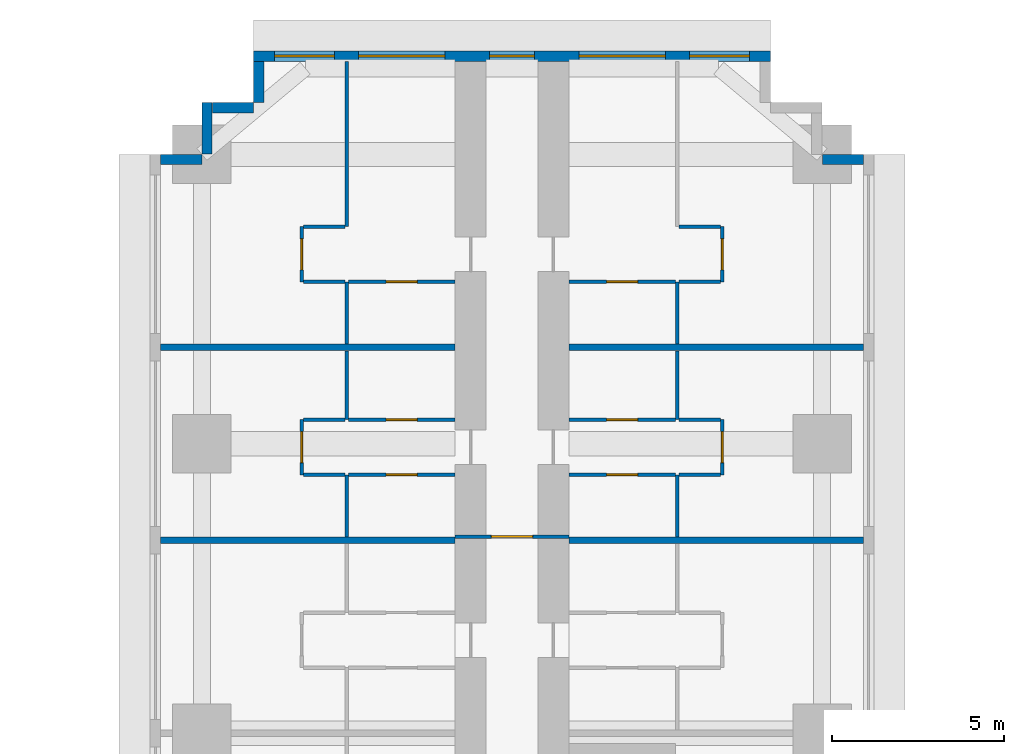
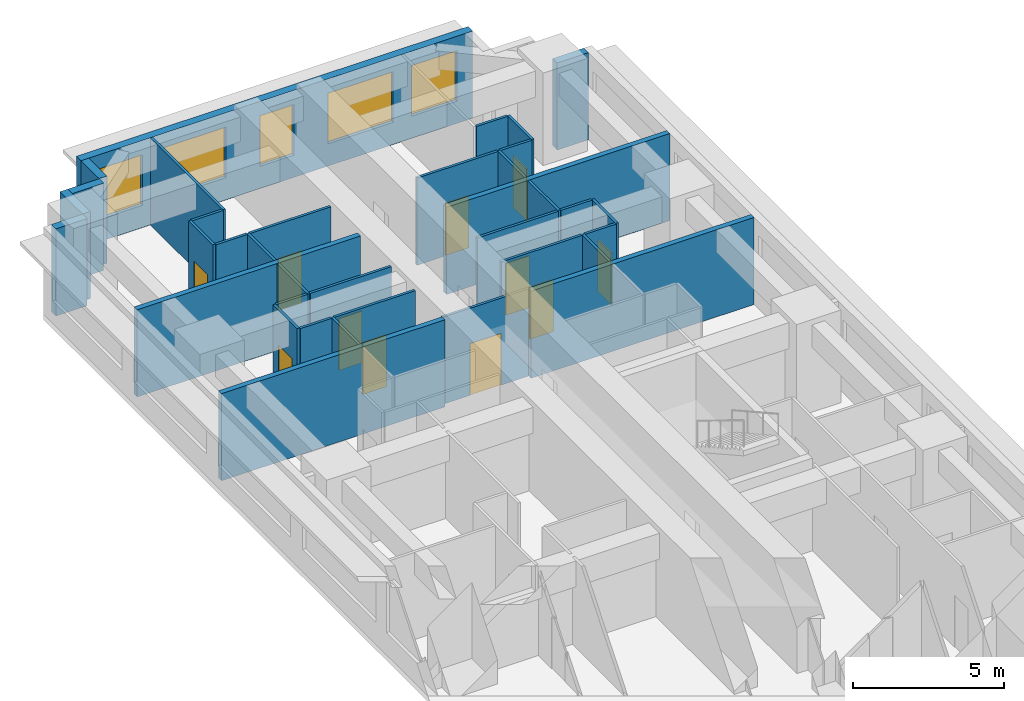
# One storey, part 14 of 16: 36 walls, 11 doors, 5 windows, 16 openings.
"""IFC4 building model written with IfcOpenShell, lengths in metres."""

from ifc_helpers import new_model, si_unit, direction, frame, frame_2d, origin, place, context, subcontext, project, spatial, rectangle, extrude, material, layer, layer_set, type_object, element, fill, save


model = new_model("IFC4")

# Units and contexts
model_context = context("Model", 3, precision=1e-05, world=origin(), true_north=direction((0.0, 1.0)))
body_context = subcontext(model_context, "Body", "Model", "MODEL_VIEW")
ifc_project = project(units=[si_unit("LENGTHUNIT", "METRE"), si_unit("AREAUNIT", "SQUARE_METRE"), si_unit("VOLUMEUNIT", "CUBIC_METRE"), si_unit("PLANEANGLEUNIT", "RADIAN"), si_unit("MASSUNIT", "GRAM", prefix="KILO")], contexts=[model_context])

# Site, building, storey
site_placement = place(None, origin())
site = spatial("IfcSite", under=ifc_project, at=site_placement, CompositionType="ELEMENT")
building_placement = place(site_placement, origin())
building = spatial("IfcBuilding", under=site, at=building_placement, Name="Impinga Residences", CompositionType="ELEMENT")
storey_placement = place(building_placement, frame((0.0, 0.0, 48.5)))
storey = spatial("IfcBuildingStorey", under=building, at=storey_placement, Name="L11", CompositionType="ELEMENT", Elevation=48.5)

# Wall, opening, door
ifc_material_1 = material(Name="Concrete blockwork", Category="masonry")
ifc_layer_1 = layer(ifc_material_1, 0.10009765625)
ifc_layer_set_1 = layer_set([ifc_layer_1], Name="CP1 core room partition, blockwork 100")
wall_type_1 = type_object("IfcWallType", Name="CP1 core room partition, blockwork 100", PredefinedType="PARTITIONING", material=ifc_layer_set_1)
wall_1_placement = place(storey_placement, frame((-1.64990234375, 33.93798828125, 0.0), z_axis=(0.0, 0.0, 1.0), x_axis=(1.0, 0.0, 0.0)))
wall_1 = element("IfcWall", 1, at=wall_1_placement, inside=storey, type_object=wall_type_1, Name="Core room partition, blockwork L11:N:SCR", PredefinedType="PARTITIONING", context=body_context, shape_type="SweptSolid", body=[
    extrude(rectangle(XDim=3.2998046875, YDim=0.10009765625, at=frame_2d((1.64990234375, 0.0))), origin(), (0.0, 0.0, 1.0), 3.530029296875),
])
opening_1_placement = place(wall_1_placement, frame((1.050048828125, 0.0, 0.0)))
opening_1 = element("IfcOpeningElement", 2, at=opening_1_placement, cuts=wall_1, Name="Opening D3", PredefinedType="OPENING", context=body_context, shape_type="SweptSolid", body=[
    extrude(rectangle(XDim=1.199951171875, YDim=2.10009765625, at=frame_2d((0.60009765625, 1.050048828125))), frame((0.0, 0.06005859375, 0.0), z_axis=(0.0, -1.0, 0.0), x_axis=(1.0, 0.0, 0.0)), (0.0, 0.0, 1.0), 0.1201171875),
])
ifc_material_2 = material(Name="Timber door set", Category="wood")
door_type_1 = type_object("IfcDoorType", Name="D3 room door, leaf and a half 1200x2100", OperationType="DOUBLE_SWING_LEFT", PredefinedType="DOOR", material=ifc_material_2)
door_1_placement = place(opening_1_placement, origin())
door_1 = element("IfcDoor", 3, at=door_1_placement, inside=storey, type_object=door_type_1, Name="Corridor smoke door N", OperationType="DOUBLE_SWING_LEFT", OverallHeight=2.10009765625, OverallWidth=1.199951171875, PredefinedType="DOOR", context=body_context, shape_type="SweptSolid", body=[
    extrude(rectangle(XDim=1.199951171875, YDim=2.10009765625, at=frame_2d((0.60009765625, 1.050048828125))), frame((0.0, 0.02490234375, 0.0), z_axis=(0.0, -1.0, 0.0), x_axis=(1.0, 0.0, 0.0)), (0.0, 0.0, 1.0), 0.050048828125),
])
fill(opening_1, door_1)

# Walls
ifc_material_3 = material(Name="Terracotta rainscreen on blockwork", Category="masonry")
ifc_layer_2 = layer(ifc_material_3, 0.300048828125)
ifc_layer_set_2 = layer_set([ifc_layer_2], Name="EW1 external wall, terracotta rainscreen on blockwork 300")
wall_type_2 = type_object("IfcWallType", Name="EW1 external wall, terracotta rainscreen on blockwork 300", PredefinedType="SOLIDWALL", material=ifc_layer_set_2)
wall_2_placement = place(storey_placement, frame((-10.199951171875, 44.881591796875, 0.0), z_axis=(0.0, 0.0, 1.0), x_axis=(1.0, 0.0, 0.0)))
element("IfcWall", 4, at=wall_2_placement, inside=storey, type_object=wall_type_2, Name="External wall EW1 L11", PredefinedType="SOLIDWALL", context=body_context, shape_type="SweptSolid", body=[
    extrude(rectangle(XDim=1.199951171875, YDim=0.300048828125, at=frame_2d((0.60009765625, 0.0))), origin(), (0.0, 0.0, 1.0), 3.530029296875),
])
wall_3_placement = place(storey_placement, frame((-8.85009765625, 45.03662109375, 0.0), z_axis=(0.0, 0.0, 1.0), x_axis=(0.0, 1.0, 0.0)))
element("IfcWall", 5, at=wall_3_placement, inside=storey, type_object=wall_type_2, Name="External wall EW1 L11", PredefinedType="SOLIDWALL", context=body_context, shape_type="SweptSolid", body=[
    extrude(rectangle(XDim=1.494873046875, YDim=0.300048828125, at=frame_2d((0.74755859375, 0.0))), origin(), (0.0, 0.0, 1.0), 3.530029296875),
])
wall_4_placement = place(storey_placement, frame((-8.699951171875, 46.381591796875, 0.0), z_axis=(0.0, 0.0, 1.0), x_axis=(1.0, 0.0, 0.0)))
element("IfcWall", 6, at=wall_4_placement, inside=storey, type_object=wall_type_2, Name="External wall EW1 L11", PredefinedType="SOLIDWALL", context=body_context, shape_type="SweptSolid", body=[
    extrude(rectangle(XDim=1.199951171875, YDim=0.300048828125, at=frame_2d((0.60009765625, 0.0))), origin(), (0.0, 0.0, 1.0), 3.530029296875),
])
wall_5_placement = place(storey_placement, frame((-7.35009765625, 46.53662109375, 0.0), z_axis=(0.0, 0.0, 1.0), x_axis=(0.0, 1.0, 0.0)))
element("IfcWall", 7, at=wall_5_placement, inside=storey, type_object=wall_type_2, Name="External wall EW1 L11", PredefinedType="SOLIDWALL", context=body_context, shape_type="SweptSolid", body=[
    extrude(rectangle(XDim=1.19482421875, YDim=0.300048828125, at=frame_2d((0.597412109375, 0.0))), origin(), (0.0, 0.0, 1.0), 3.530029296875),
])

# Wall, openings, windows
wall_6_placement = place(storey_placement, frame((-7.5, 47.881591796875, 0.0), z_axis=(0.0, 0.0, 1.0), x_axis=(1.0, 0.0, 0.0)))
wall_6 = element("IfcWall", 8, at=wall_6_placement, inside=storey, type_object=wall_type_2, Name="External wall EW1 L11", PredefinedType="SOLIDWALL", context=body_context, shape_type="SweptSolid", body=[
    extrude(rectangle(XDim=15.0, YDim=0.300048828125, at=frame_2d((7.5, 0.0))), origin(), (0.0, 0.0, 1.0), 3.530029296875),
])
opening_2_placement = place(wall_6_placement, frame((0.60009765625, 0.0, 0.89990234375)))
opening_2 = element("IfcOpeningElement", 9, at=opening_2_placement, cuts=wall_6, Name="Opening W1", PredefinedType="OPENING", context=body_context, shape_type="SweptSolid", body=[
    extrude(rectangle(XDim=1.75, YDim=2.050048828125, at=frame_2d((0.875, 1.02490234375))), frame((0.0, 0.159912109375, 0.0), z_axis=(0.0, -1.0, 0.0), x_axis=(1.0, 0.0, 0.0)), (0.0, 0.0, 1.0), 0.320068359375),
])
opening_3_placement = place(wall_6_placement, frame((3.050048828125, 0.0, 0.89990234375)))
opening_3 = element("IfcOpeningElement", 10, at=opening_3_placement, cuts=wall_6, Name="Opening W2", PredefinedType="OPENING", context=body_context, shape_type="SweptSolid", body=[
    extrude(rectangle(XDim=2.5, YDim=2.050048828125, at=frame_2d((1.25, 1.02490234375))), frame((0.0, 0.159912109375, 0.0), z_axis=(0.0, -1.0, 0.0), x_axis=(1.0, 0.0, 0.0)), (0.0, 0.0, 1.0), 0.320068359375),
])
opening_4_placement = place(wall_6_placement, frame((6.85009765625, 0.0, 0.89990234375)))
opening_4 = element("IfcOpeningElement", 11, at=opening_4_placement, cuts=wall_6, Name="Opening WE1", PredefinedType="OPENING", context=body_context, shape_type="SweptSolid", body=[
    extrude(rectangle(XDim=1.300048828125, YDim=2.050048828125, at=frame_2d((0.64990234375, 1.02490234375))), frame((0.0, 0.159912109375, 0.0), z_axis=(0.0, -1.0, 0.0), x_axis=(1.0, 0.0, 0.0)), (0.0, 0.0, 1.0), 0.320068359375),
])
opening_5_placement = place(wall_6_placement, frame((9.449951171875, 0.0, 0.89990234375)))
opening_5 = element("IfcOpeningElement", 12, at=opening_5_placement, cuts=wall_6, Name="Opening W2", PredefinedType="OPENING", context=body_context, shape_type="SweptSolid", body=[
    extrude(rectangle(XDim=2.5, YDim=2.050048828125, at=frame_2d((1.25, 1.02490234375))), frame((0.0, 0.159912109375, 0.0), z_axis=(0.0, -1.0, 0.0), x_axis=(1.0, 0.0, 0.0)), (0.0, 0.0, 1.0), 0.320068359375),
])
opening_6_placement = place(wall_6_placement, frame((12.64990234375, 0.0, 0.89990234375)))
opening_6 = element("IfcOpeningElement", 13, at=opening_6_placement, cuts=wall_6, Name="Opening W1", PredefinedType="OPENING", context=body_context, shape_type="SweptSolid", body=[
    extrude(rectangle(XDim=1.75, YDim=2.050048828125, at=frame_2d((0.875, 1.02490234375))), frame((0.0, 0.159912109375, 0.0), z_axis=(0.0, -1.0, 0.0), x_axis=(1.0, 0.0, 0.0)), (0.0, 0.0, 1.0), 0.320068359375),
])
ifc_material_4 = material(Name="Aluminium window, clear double glazing", Category="aluminium")
window_type_1 = type_object("IfcWindowType", Name="W1 ribbon window 1750x2050", PartitioningType="SINGLE_PANEL", PredefinedType="WINDOW", material=ifc_material_4)
window_1_placement = place(opening_2_placement, origin())
window_1 = element("IfcWindow", 14, at=window_1_placement, inside=storey, type_object=window_type_1, Name="Window L11", OverallHeight=2.050048828125, OverallWidth=1.75, PartitioningType="SINGLE_PANEL", PredefinedType="WINDOW", context=body_context, shape_type="SweptSolid", body=[
    extrude(rectangle(XDim=1.75, YDim=2.050048828125, at=frame_2d((0.875, 1.02490234375))), frame((0.0, 0.030029296875, 0.0), z_axis=(0.0, -1.0, 0.0), x_axis=(1.0, 0.0, 0.0)), (0.0, 0.0, 1.0), 0.06005859375),
])
fill(opening_2, window_1)
window_2_placement = place(opening_6_placement, origin())
window_2 = element("IfcWindow", 15, at=window_2_placement, inside=storey, type_object=window_type_1, Name="Window L11", OverallHeight=2.050048828125, OverallWidth=1.75, PartitioningType="SINGLE_PANEL", PredefinedType="WINDOW", context=body_context, shape_type="SweptSolid", body=[
    extrude(rectangle(XDim=1.75, YDim=2.050048828125, at=frame_2d((0.875, 1.02490234375))), frame((0.0, 0.030029296875, 0.0), z_axis=(0.0, -1.0, 0.0), x_axis=(1.0, 0.0, 0.0)), (0.0, 0.0, 1.0), 0.06005859375),
])
fill(opening_6, window_2)
window_type_2 = type_object("IfcWindowType", Name="W2 ribbon window 2500x2050", PartitioningType="SINGLE_PANEL", PredefinedType="WINDOW", material=ifc_material_4)
window_3_placement = place(opening_3_placement, origin())
window_3 = element("IfcWindow", 16, at=window_3_placement, inside=storey, type_object=window_type_2, Name="Window L11", OverallHeight=2.050048828125, OverallWidth=2.5, PartitioningType="SINGLE_PANEL", PredefinedType="WINDOW", context=body_context, shape_type="SweptSolid", body=[
    extrude(rectangle(XDim=2.5, YDim=2.050048828125, at=frame_2d((1.25, 1.02490234375))), frame((0.0, 0.030029296875, 0.0), z_axis=(0.0, -1.0, 0.0), x_axis=(1.0, 0.0, 0.0)), (0.0, 0.0, 1.0), 0.06005859375),
])
fill(opening_3, window_3)
window_4_placement = place(opening_5_placement, origin())
window_4 = element("IfcWindow", 17, at=window_4_placement, inside=storey, type_object=window_type_2, Name="Window L11", OverallHeight=2.050048828125, OverallWidth=2.5, PartitioningType="SINGLE_PANEL", PredefinedType="WINDOW", context=body_context, shape_type="SweptSolid", body=[
    extrude(rectangle(XDim=2.5, YDim=2.050048828125, at=frame_2d((1.25, 1.02490234375))), frame((0.0, 0.030029296875, 0.0), z_axis=(0.0, -1.0, 0.0), x_axis=(1.0, 0.0, 0.0)), (0.0, 0.0, 1.0), 0.06005859375),
])
fill(opening_5, window_4)
window_type_3 = type_object("IfcWindowType", Name="WE1 corridor window 1300x2050", PartitioningType="SINGLE_PANEL", PredefinedType="WINDOW", material=ifc_material_4)
window_5_placement = place(opening_4_placement, origin())
window_5 = element("IfcWindow", 18, at=window_5_placement, inside=storey, type_object=window_type_3, Name="Window L11", OverallHeight=2.050048828125, OverallWidth=1.300048828125, PartitioningType="SINGLE_PANEL", PredefinedType="WINDOW", context=body_context, shape_type="SweptSolid", body=[
    extrude(rectangle(XDim=1.300048828125, YDim=2.050048828125, at=frame_2d((0.64990234375, 1.02490234375))), frame((0.0, 0.030029296875, 0.0), z_axis=(0.0, -1.0, 0.0), x_axis=(1.0, 0.0, 0.0)), (0.0, 0.0, 1.0), 0.06005859375),
])
fill(opening_4, window_5)

# Walls
wall_7_placement = place(storey_placement, frame((9.0048828125, 44.881591796875, 0.0), z_axis=(0.0, 0.0, 1.0), x_axis=(1.0, 0.0, 0.0)))
element("IfcWall", 19, at=wall_7_placement, inside=storey, type_object=wall_type_2, Name="External wall EW1 L11", PredefinedType="SOLIDWALL", context=body_context, shape_type="SweptSolid", body=[
    extrude(rectangle(XDim=1.195068359375, YDim=0.300048828125, at=frame_2d((0.59765625, 0.0))), origin(), (0.0, 0.0, 1.0), 3.530029296875),
])
ifc_material_5 = material(Name="Gypsum board on steel studs", Category="steel")
ifc_layer_3 = layer(ifc_material_5, 0.10009765625)
ifc_layer_set_3 = layer_set([ifc_layer_3], Name="Gypsum board on steel studs")
wall_type_3 = type_object("IfcWallType", Name="IP1 partition 100", PredefinedType="PARTITIONING", material=ifc_layer_set_3)
wall_8_placement = place(storey_placement, frame((-4.800048828125, 33.931640625, 0.0), z_axis=(0.0, 0.0, 1.0), x_axis=(0.0, 1.0, 0.0)))
element("IfcWall", 20, at=wall_8_placement, inside=storey, type_object=wall_type_3, Name="Partition L11-NA4:DIV0", PredefinedType="PARTITIONING", context=body_context, shape_type="SweptSolid", body=[
    extrude(rectangle(XDim=1.7998046875, YDim=0.10009765625, at=frame_2d((0.89990234375, 0.0))), origin(), (0.0, 0.0, 1.0), 3.530029296875),
])
wall_9_placement = place(storey_placement, frame((-4.800048828125, 37.33154296875, 0.0), z_axis=(0.0, 0.0, 1.0), x_axis=(0.0, 1.0, 0.0)))
element("IfcWall", 21, at=wall_9_placement, inside=storey, type_object=wall_type_3, Name="Partition L11-NA4:DIV1", PredefinedType="PARTITIONING", context=body_context, shape_type="SweptSolid", body=[
    extrude(rectangle(XDim=2.0, YDim=0.10009765625, at=frame_2d((1.0, 0.0))), origin(), (0.0, 0.0, 1.0), 3.530029296875),
])

# Wall, opening, door
wall_10_placement = place(storey_placement, frame((-6.10009765625, 35.7314453125, 0.0), z_axis=(0.0, 0.0, 1.0), x_axis=(0.0, 1.0, 0.0)))
wall_10 = element("IfcWall", 22, at=wall_10_placement, inside=storey, type_object=wall_type_3, Name="Partition L11-NA4:STRIP", PredefinedType="PARTITIONING", context=body_context, shape_type="SweptSolid", body=[
    extrude(rectangle(XDim=1.60009765625, YDim=0.10009765625, at=frame_2d((0.800048828125, 0.0))), origin(), (0.0, 0.0, 1.0), 3.530029296875),
])
opening_7_placement = place(wall_10_placement, frame((0.35009765625, 0.0, 0.0)))
opening_7 = element("IfcOpeningElement", 23, at=opening_7_placement, cuts=wall_10, Name="Opening D2", PredefinedType="OPENING", context=body_context, shape_type="SweptSolid", body=[
    extrude(rectangle(XDim=0.89990234375, YDim=2.10009765625, at=frame_2d((0.449951171875, 1.050048828125))), frame((0.0, 0.06005859375, 0.0), z_axis=(0.0, -1.0, 0.0), x_axis=(1.0, 0.0, 0.0)), (0.0, 0.0, 1.0), 0.1201171875),
])
door_type_2 = type_object("IfcDoorType", Name="D2 internal door 900x2100", OperationType="SINGLE_SWING_LEFT", PredefinedType="DOOR", material=ifc_material_2)
door_2_placement = place(opening_7_placement, origin())
door_2 = element("IfcDoor", 24, at=door_2_placement, inside=storey, type_object=door_type_2, Name="Apartment L11-NA4 room door", OperationType="SINGLE_SWING_LEFT", OverallHeight=2.10009765625, OverallWidth=0.89990234375, PredefinedType="DOOR", context=body_context, shape_type="SweptSolid", body=[
    extrude(rectangle(XDim=0.89990234375, YDim=2.10009765625, at=frame_2d((0.449951171875, 1.050048828125))), frame((0.0, 0.02490234375, 0.0), z_axis=(0.0, -1.0, 0.0), x_axis=(1.0, 0.0, 0.0)), (0.0, 0.0, 1.0), 0.050048828125),
])
fill(opening_7, door_2)

# Walls
for number, where, z_axis, x_axis, name in (
    (25, (-4.85009765625, 35.7314453125, 0.0), (0.0, 0.0, 1.0), (-1.0, 0.0, 0.0), "Partition L11-NA4:SE0"),
    (26, (-4.85009765625, 37.33154296875, 0.0), (0.0, 0.0, 1.0), (-1.0, 0.0, 0.0), "Partition L11-NA4:SE1"),
):
    element("IfcWall", number, at=place(storey_placement, frame(where, z_axis=z_axis, x_axis=x_axis)), inside=storey, type_object=wall_type_3, Name=name, PredefinedType="PARTITIONING", context=body_context, shape_type="SweptSolid", body=[
        extrude(rectangle(XDim=1.199951171875, YDim=0.10009765625, at=frame_2d((0.60009765625, 0.0))), origin(), (0.0, 0.0, 1.0), 3.530029296875),
    ])

# Wall, opening, door
wall_11_placement = place(storey_placement, frame((-1.64990234375, 35.7314453125, 0.0), z_axis=(0.0, 0.0, 1.0), x_axis=(-1.0, 0.0, 0.0)))
wall_11 = element("IfcWall", 27, at=wall_11_placement, inside=storey, type_object=wall_type_3, Name="Partition L11-NA4:IB1", PredefinedType="PARTITIONING", context=body_context, shape_type="SweptSolid", body=[
    extrude(rectangle(XDim=3.10009765625, YDim=0.10009765625, at=frame_2d((1.550048828125, 0.0))), origin(), (0.0, 0.0, 1.0), 3.530029296875),
])
opening_8_placement = place(wall_11_placement, frame((1.10009765625, 0.0, 0.0)))
opening_8 = element("IfcOpeningElement", 28, at=opening_8_placement, cuts=wall_11, Name="Opening D2", PredefinedType="OPENING", context=body_context, shape_type="SweptSolid", body=[
    extrude(rectangle(XDim=0.89990234375, YDim=2.10009765625, at=frame_2d((0.449951171875, 1.050048828125))), frame((0.0, 0.06005859375, 0.0), z_axis=(0.0, -1.0, 0.0), x_axis=(1.0, 0.0, 0.0)), (0.0, 0.0, 1.0), 0.1201171875),
])
door_3_placement = place(opening_8_placement, origin())
door_3 = element("IfcDoor", 29, at=door_3_placement, inside=storey, type_object=door_type_2, Name="Apartment L11-NA4 bathroom door", OperationType="SINGLE_SWING_LEFT", OverallHeight=2.10009765625, OverallWidth=0.89990234375, PredefinedType="DOOR", context=body_context, shape_type="SweptSolid", body=[
    extrude(rectangle(XDim=0.89990234375, YDim=2.10009765625, at=frame_2d((0.449951171875, 1.050048828125))), frame((0.0, 0.02490234375, 0.0), z_axis=(0.0, -1.0, 0.0), x_axis=(1.0, 0.0, 0.0)), (0.0, 0.0, 1.0), 0.050048828125),
])
fill(opening_8, door_3)

wall_12_placement = place(storey_placement, frame((-1.64990234375, 37.33154296875, 0.0), z_axis=(0.0, 0.0, 1.0), x_axis=(-1.0, 0.0, 0.0)))
wall_12 = element("IfcWall", 30, at=wall_12_placement, inside=storey, type_object=wall_type_3, Name="Partition L11-NA4:IB2", PredefinedType="PARTITIONING", context=body_context, shape_type="SweptSolid", body=[
    extrude(rectangle(XDim=3.10009765625, YDim=0.10009765625, at=frame_2d((1.550048828125, 0.0))), origin(), (0.0, 0.0, 1.0), 3.530029296875),
])
opening_9_placement = place(wall_12_placement, frame((1.10009765625, 0.0, 0.0)))
opening_9 = element("IfcOpeningElement", 31, at=opening_9_placement, cuts=wall_12, Name="Opening D2", PredefinedType="OPENING", context=body_context, shape_type="SweptSolid", body=[
    extrude(rectangle(XDim=0.89990234375, YDim=2.10009765625, at=frame_2d((0.449951171875, 1.050048828125))), frame((0.0, 0.06005859375, 0.0), z_axis=(0.0, -1.0, 0.0), x_axis=(1.0, 0.0, 0.0)), (0.0, 0.0, 1.0), 0.1201171875),
])
door_4_placement = place(opening_9_placement, origin())
door_4 = element("IfcDoor", 32, at=door_4_placement, inside=storey, type_object=door_type_2, Name="Apartment L11-NA4 WC door", OperationType="SINGLE_SWING_LEFT", OverallHeight=2.10009765625, OverallWidth=0.89990234375, PredefinedType="DOOR", context=body_context, shape_type="SweptSolid", body=[
    extrude(rectangle(XDim=0.89990234375, YDim=2.10009765625, at=frame_2d((0.449951171875, 1.050048828125))), frame((0.0, 0.02490234375, 0.0), z_axis=(0.0, -1.0, 0.0), x_axis=(1.0, 0.0, 0.0)), (0.0, 0.0, 1.0), 0.050048828125),
])
fill(opening_9, door_4)

# Walls
wall_13_placement = place(storey_placement, frame((-4.800048828125, 39.531494140625, 0.0), z_axis=(0.0, 0.0, 1.0), x_axis=(0.0, 1.0, 0.0)))
element("IfcWall", 33, at=wall_13_placement, inside=storey, type_object=wall_type_3, Name="Partition L11-NA5:DIV0", PredefinedType="PARTITIONING", context=body_context, shape_type="SweptSolid", body=[
    extrude(rectangle(XDim=1.800048828125, YDim=0.10009765625, at=frame_2d((0.89990234375, 0.0))), origin(), (0.0, 0.0, 1.0), 3.530029296875),
])
wall_14_placement = place(storey_placement, frame((-4.800048828125, 42.931640625, 0.0), z_axis=(0.0, 0.0, 1.0), x_axis=(0.0, 1.0, 0.0)))
element("IfcWall", 34, at=wall_14_placement, inside=storey, type_object=wall_type_3, Name="Partition L11-NA5:DIV1", PredefinedType="PARTITIONING", context=body_context, shape_type="SweptSolid", body=[
    extrude(rectangle(XDim=4.7998046875, YDim=0.10009765625, at=frame_2d((2.39990234375, 0.0))), origin(), (0.0, 0.0, 1.0), 3.530029296875),
])

# Wall, opening, door
wall_15_placement = place(storey_placement, frame((-6.10009765625, 41.33154296875, 0.0), z_axis=(0.0, 0.0, 1.0), x_axis=(0.0, 1.0, 0.0)))
wall_15 = element("IfcWall", 35, at=wall_15_placement, inside=storey, type_object=wall_type_3, Name="Partition L11-NA5:STRIP", PredefinedType="PARTITIONING", context=body_context, shape_type="SweptSolid", body=[
    extrude(rectangle(XDim=1.60009765625, YDim=0.10009765625, at=frame_2d((0.800048828125, 0.0))), origin(), (0.0, 0.0, 1.0), 3.530029296875),
])
opening_10_placement = place(wall_15_placement, frame((0.35009765625, 0.0, 0.0)))
opening_10 = element("IfcOpeningElement", 36, at=opening_10_placement, cuts=wall_15, Name="Opening D2", PredefinedType="OPENING", context=body_context, shape_type="SweptSolid", body=[
    extrude(rectangle(XDim=0.89990234375, YDim=2.10009765625, at=frame_2d((0.449951171875, 1.050048828125))), frame((0.0, 0.06005859375, 0.0), z_axis=(0.0, -1.0, 0.0), x_axis=(1.0, 0.0, 0.0)), (0.0, 0.0, 1.0), 0.1201171875),
])
door_5_placement = place(opening_10_placement, origin())
door_5 = element("IfcDoor", 37, at=door_5_placement, inside=storey, type_object=door_type_2, Name="Apartment L11-NA5 room door", OperationType="SINGLE_SWING_LEFT", OverallHeight=2.10009765625, OverallWidth=0.89990234375, PredefinedType="DOOR", context=body_context, shape_type="SweptSolid", body=[
    extrude(rectangle(XDim=0.89990234375, YDim=2.10009765625, at=frame_2d((0.449951171875, 1.050048828125))), frame((0.0, 0.02490234375, 0.0), z_axis=(0.0, -1.0, 0.0), x_axis=(1.0, 0.0, 0.0)), (0.0, 0.0, 1.0), 0.050048828125),
])
fill(opening_10, door_5)

# Walls
for number, where, z_axis, x_axis, name in (
    (38, (-4.85009765625, 41.33154296875, 0.0), (0.0, 0.0, 1.0), (-1.0, 0.0, 0.0), "Partition L11-NA5:SE0"),
    (39, (-4.85009765625, 42.931640625, 0.0), (0.0, 0.0, 1.0), (-1.0, 0.0, 0.0), "Partition L11-NA5:SE1"),
):
    element("IfcWall", number, at=place(storey_placement, frame(where, z_axis=z_axis, x_axis=x_axis)), inside=storey, type_object=wall_type_3, Name=name, PredefinedType="PARTITIONING", context=body_context, shape_type="SweptSolid", body=[
        extrude(rectangle(XDim=1.199951171875, YDim=0.10009765625, at=frame_2d((0.60009765625, 0.0))), origin(), (0.0, 0.0, 1.0), 3.530029296875),
    ])

# Wall, opening, door
wall_16_placement = place(storey_placement, frame((-1.64990234375, 41.33154296875, 0.0), z_axis=(0.0, 0.0, 1.0), x_axis=(-1.0, 0.0, 0.0)))
wall_16 = element("IfcWall", 40, at=wall_16_placement, inside=storey, type_object=wall_type_3, Name="Partition L11-NA5:IB1", PredefinedType="PARTITIONING", context=body_context, shape_type="SweptSolid", body=[
    extrude(rectangle(XDim=3.10009765625, YDim=0.10009765625, at=frame_2d((1.550048828125, 0.0))), origin(), (0.0, 0.0, 1.0), 3.530029296875),
])
opening_11_placement = place(wall_16_placement, frame((1.10009765625, 0.0, 0.0)))
opening_11 = element("IfcOpeningElement", 41, at=opening_11_placement, cuts=wall_16, Name="Opening D2", PredefinedType="OPENING", context=body_context, shape_type="SweptSolid", body=[
    extrude(rectangle(XDim=0.89990234375, YDim=2.10009765625, at=frame_2d((0.449951171875, 1.050048828125))), frame((0.0, 0.06005859375, 0.0), z_axis=(0.0, -1.0, 0.0), x_axis=(1.0, 0.0, 0.0)), (0.0, 0.0, 1.0), 0.1201171875),
])
door_6_placement = place(opening_11_placement, origin())
door_6 = element("IfcDoor", 42, at=door_6_placement, inside=storey, type_object=door_type_2, Name="Apartment L11-NA5 bathroom door", OperationType="SINGLE_SWING_LEFT", OverallHeight=2.10009765625, OverallWidth=0.89990234375, PredefinedType="DOOR", context=body_context, shape_type="SweptSolid", body=[
    extrude(rectangle(XDim=0.89990234375, YDim=2.10009765625, at=frame_2d((0.449951171875, 1.050048828125))), frame((0.0, 0.02490234375, 0.0), z_axis=(0.0, -1.0, 0.0), x_axis=(1.0, 0.0, 0.0)), (0.0, 0.0, 1.0), 0.050048828125),
])
fill(opening_11, door_6)

# Walls
wall_17_placement = place(storey_placement, frame((4.800048828125, 33.931640625, 0.0), z_axis=(0.0, 0.0, 1.0), x_axis=(0.0, 1.0, 0.0)))
element("IfcWall", 43, at=wall_17_placement, inside=storey, type_object=wall_type_3, Name="Partition L11-NF3:DIV0", PredefinedType="PARTITIONING", context=body_context, shape_type="SweptSolid", body=[
    extrude(rectangle(XDim=1.7998046875, YDim=0.10009765625, at=frame_2d((0.89990234375, 0.0))), origin(), (0.0, 0.0, 1.0), 3.530029296875),
])
wall_18_placement = place(storey_placement, frame((4.800048828125, 37.33154296875, 0.0), z_axis=(0.0, 0.0, 1.0), x_axis=(0.0, 1.0, 0.0)))
element("IfcWall", 44, at=wall_18_placement, inside=storey, type_object=wall_type_3, Name="Partition L11-NF3:DIV1", PredefinedType="PARTITIONING", context=body_context, shape_type="SweptSolid", body=[
    extrude(rectangle(XDim=2.0, YDim=0.10009765625, at=frame_2d((1.0, 0.0))), origin(), (0.0, 0.0, 1.0), 3.530029296875),
])

# Wall, opening, door
wall_19_placement = place(storey_placement, frame((6.10009765625, 35.7314453125, 0.0), z_axis=(0.0, 0.0, 1.0), x_axis=(0.0, 1.0, 0.0)))
wall_19 = element("IfcWall", 45, at=wall_19_placement, inside=storey, type_object=wall_type_3, Name="Partition L11-NF3:STRIP", PredefinedType="PARTITIONING", context=body_context, shape_type="SweptSolid", body=[
    extrude(rectangle(XDim=1.60009765625, YDim=0.10009765625, at=frame_2d((0.800048828125, 0.0))), origin(), (0.0, 0.0, 1.0), 3.530029296875),
])
opening_12_placement = place(wall_19_placement, frame((0.35009765625, 0.0, 0.0)))
opening_12 = element("IfcOpeningElement", 46, at=opening_12_placement, cuts=wall_19, Name="Opening D2", PredefinedType="OPENING", context=body_context, shape_type="SweptSolid", body=[
    extrude(rectangle(XDim=0.89990234375, YDim=2.10009765625, at=frame_2d((0.449951171875, 1.050048828125))), frame((0.0, 0.06005859375, 0.0), z_axis=(0.0, -1.0, 0.0), x_axis=(1.0, 0.0, 0.0)), (0.0, 0.0, 1.0), 0.1201171875),
])
door_7_placement = place(opening_12_placement, origin())
door_7 = element("IfcDoor", 47, at=door_7_placement, inside=storey, type_object=door_type_2, Name="Apartment L11-NF3 room door", OperationType="SINGLE_SWING_LEFT", OverallHeight=2.10009765625, OverallWidth=0.89990234375, PredefinedType="DOOR", context=body_context, shape_type="SweptSolid", body=[
    extrude(rectangle(XDim=0.89990234375, YDim=2.10009765625, at=frame_2d((0.449951171875, 1.050048828125))), frame((0.0, 0.02490234375, 0.0), z_axis=(0.0, -1.0, 0.0), x_axis=(1.0, 0.0, 0.0)), (0.0, 0.0, 1.0), 0.050048828125),
])
fill(opening_12, door_7)

# Walls
for number, where, z_axis, x_axis, name in (
    (48, (4.85009765625, 35.7314453125, 0.0), (0.0, 0.0, 1.0), (1.0, 0.0, 0.0), "Partition L11-NF3:SE0"),
    (49, (4.85009765625, 37.33154296875, 0.0), (0.0, 0.0, 1.0), (1.0, 0.0, 0.0), "Partition L11-NF3:SE1"),
):
    element("IfcWall", number, at=place(storey_placement, frame(where, z_axis=z_axis, x_axis=x_axis)), inside=storey, type_object=wall_type_3, Name=name, PredefinedType="PARTITIONING", context=body_context, shape_type="SweptSolid", body=[
        extrude(rectangle(XDim=1.199951171875, YDim=0.10009765625, at=frame_2d((0.60009765625, 0.0))), origin(), (0.0, 0.0, 1.0), 3.530029296875),
    ])

# Wall, opening, door
wall_20_placement = place(storey_placement, frame((1.64990234375, 35.7314453125, 0.0), z_axis=(0.0, 0.0, 1.0), x_axis=(1.0, 0.0, 0.0)))
wall_20 = element("IfcWall", 50, at=wall_20_placement, inside=storey, type_object=wall_type_3, Name="Partition L11-NF3:IB1", PredefinedType="PARTITIONING", context=body_context, shape_type="SweptSolid", body=[
    extrude(rectangle(XDim=3.10009765625, YDim=0.10009765625, at=frame_2d((1.550048828125, 0.0))), origin(), (0.0, 0.0, 1.0), 3.530029296875),
])
opening_13_placement = place(wall_20_placement, frame((1.10009765625, 0.0, 0.0)))
opening_13 = element("IfcOpeningElement", 51, at=opening_13_placement, cuts=wall_20, Name="Opening D2", PredefinedType="OPENING", context=body_context, shape_type="SweptSolid", body=[
    extrude(rectangle(XDim=0.89990234375, YDim=2.10009765625, at=frame_2d((0.449951171875, 1.050048828125))), frame((0.0, 0.06005859375, 0.0), z_axis=(0.0, -1.0, 0.0), x_axis=(1.0, 0.0, 0.0)), (0.0, 0.0, 1.0), 0.1201171875),
])
door_8_placement = place(opening_13_placement, origin())
door_8 = element("IfcDoor", 52, at=door_8_placement, inside=storey, type_object=door_type_2, Name="Apartment L11-NF3 bathroom door", OperationType="SINGLE_SWING_LEFT", OverallHeight=2.10009765625, OverallWidth=0.89990234375, PredefinedType="DOOR", context=body_context, shape_type="SweptSolid", body=[
    extrude(rectangle(XDim=0.89990234375, YDim=2.10009765625, at=frame_2d((0.449951171875, 1.050048828125))), frame((0.0, 0.02490234375, 0.0), z_axis=(0.0, -1.0, 0.0), x_axis=(1.0, 0.0, 0.0)), (0.0, 0.0, 1.0), 0.050048828125),
])
fill(opening_13, door_8)

wall_21_placement = place(storey_placement, frame((1.64990234375, 37.33154296875, 0.0), z_axis=(0.0, 0.0, 1.0), x_axis=(1.0, 0.0, 0.0)))
wall_21 = element("IfcWall", 53, at=wall_21_placement, inside=storey, type_object=wall_type_3, Name="Partition L11-NF3:IB2", PredefinedType="PARTITIONING", context=body_context, shape_type="SweptSolid", body=[
    extrude(rectangle(XDim=3.10009765625, YDim=0.10009765625, at=frame_2d((1.550048828125, 0.0))), origin(), (0.0, 0.0, 1.0), 3.530029296875),
])
opening_14_placement = place(wall_21_placement, frame((1.10009765625, 0.0, 0.0)))
opening_14 = element("IfcOpeningElement", 54, at=opening_14_placement, cuts=wall_21, Name="Opening D2", PredefinedType="OPENING", context=body_context, shape_type="SweptSolid", body=[
    extrude(rectangle(XDim=0.89990234375, YDim=2.10009765625, at=frame_2d((0.449951171875, 1.050048828125))), frame((0.0, 0.06005859375, 0.0), z_axis=(0.0, -1.0, 0.0), x_axis=(1.0, 0.0, 0.0)), (0.0, 0.0, 1.0), 0.1201171875),
])
door_9_placement = place(opening_14_placement, origin())
door_9 = element("IfcDoor", 55, at=door_9_placement, inside=storey, type_object=door_type_2, Name="Apartment L11-NF3 WC door", OperationType="SINGLE_SWING_LEFT", OverallHeight=2.10009765625, OverallWidth=0.89990234375, PredefinedType="DOOR", context=body_context, shape_type="SweptSolid", body=[
    extrude(rectangle(XDim=0.89990234375, YDim=2.10009765625, at=frame_2d((0.449951171875, 1.050048828125))), frame((0.0, 0.02490234375, 0.0), z_axis=(0.0, -1.0, 0.0), x_axis=(1.0, 0.0, 0.0)), (0.0, 0.0, 1.0), 0.050048828125),
])
fill(opening_14, door_9)

# Wall
wall_22_placement = place(storey_placement, frame((4.800048828125, 39.531494140625, 0.0), z_axis=(0.0, 0.0, 1.0), x_axis=(0.0, 1.0, 0.0)))
element("IfcWall", 56, at=wall_22_placement, inside=storey, type_object=wall_type_3, Name="Partition L11-NF4:DIV0", PredefinedType="PARTITIONING", context=body_context, shape_type="SweptSolid", body=[
    extrude(rectangle(XDim=1.800048828125, YDim=0.10009765625, at=frame_2d((0.89990234375, 0.0))), origin(), (0.0, 0.0, 1.0), 3.530029296875),
])

# Wall, opening, door
wall_23_placement = place(storey_placement, frame((6.10009765625, 41.33154296875, 0.0), z_axis=(0.0, 0.0, 1.0), x_axis=(0.0, 1.0, 0.0)))
wall_23 = element("IfcWall", 57, at=wall_23_placement, inside=storey, type_object=wall_type_3, Name="Partition L11-NF4:STRIP", PredefinedType="PARTITIONING", context=body_context, shape_type="SweptSolid", body=[
    extrude(rectangle(XDim=1.60009765625, YDim=0.10009765625, at=frame_2d((0.800048828125, 0.0))), origin(), (0.0, 0.0, 1.0), 3.530029296875),
])
opening_15_placement = place(wall_23_placement, frame((0.35009765625, 0.0, 0.0)))
opening_15 = element("IfcOpeningElement", 58, at=opening_15_placement, cuts=wall_23, Name="Opening D2", PredefinedType="OPENING", context=body_context, shape_type="SweptSolid", body=[
    extrude(rectangle(XDim=0.89990234375, YDim=2.10009765625, at=frame_2d((0.449951171875, 1.050048828125))), frame((0.0, 0.06005859375, 0.0), z_axis=(0.0, -1.0, 0.0), x_axis=(1.0, 0.0, 0.0)), (0.0, 0.0, 1.0), 0.1201171875),
])
door_10_placement = place(opening_15_placement, origin())
door_10 = element("IfcDoor", 59, at=door_10_placement, inside=storey, type_object=door_type_2, Name="Apartment L11-NF4 room door", OperationType="SINGLE_SWING_LEFT", OverallHeight=2.10009765625, OverallWidth=0.89990234375, PredefinedType="DOOR", context=body_context, shape_type="SweptSolid", body=[
    extrude(rectangle(XDim=0.89990234375, YDim=2.10009765625, at=frame_2d((0.449951171875, 1.050048828125))), frame((0.0, 0.02490234375, 0.0), z_axis=(0.0, -1.0, 0.0), x_axis=(1.0, 0.0, 0.0)), (0.0, 0.0, 1.0), 0.050048828125),
])
fill(opening_15, door_10)

# Walls
for number, where, z_axis, x_axis, name in (
    (60, (4.85009765625, 41.33154296875, 0.0), (0.0, 0.0, 1.0), (1.0, 0.0, 0.0), "Partition L11-NF4:SE0"),
    (61, (4.85009765625, 42.931640625, 0.0), (0.0, 0.0, 1.0), (1.0, 0.0, 0.0), "Partition L11-NF4:SE1"),
):
    element("IfcWall", number, at=place(storey_placement, frame(where, z_axis=z_axis, x_axis=x_axis)), inside=storey, type_object=wall_type_3, Name=name, PredefinedType="PARTITIONING", context=body_context, shape_type="SweptSolid", body=[
        extrude(rectangle(XDim=1.199951171875, YDim=0.10009765625, at=frame_2d((0.60009765625, 0.0))), origin(), (0.0, 0.0, 1.0), 3.530029296875),
    ])

# Wall, opening, door
wall_24_placement = place(storey_placement, frame((1.64990234375, 41.33154296875, 0.0), z_axis=(0.0, 0.0, 1.0), x_axis=(1.0, 0.0, 0.0)))
wall_24 = element("IfcWall", 62, at=wall_24_placement, inside=storey, type_object=wall_type_3, Name="Partition L11-NF4:IB1", PredefinedType="PARTITIONING", context=body_context, shape_type="SweptSolid", body=[
    extrude(rectangle(XDim=3.10009765625, YDim=0.10009765625, at=frame_2d((1.550048828125, 0.0))), origin(), (0.0, 0.0, 1.0), 3.530029296875),
])
opening_16_placement = place(wall_24_placement, frame((1.10009765625, 0.0, 0.0)))
opening_16 = element("IfcOpeningElement", 63, at=opening_16_placement, cuts=wall_24, Name="Opening D2", PredefinedType="OPENING", context=body_context, shape_type="SweptSolid", body=[
    extrude(rectangle(XDim=0.89990234375, YDim=2.10009765625, at=frame_2d((0.449951171875, 1.050048828125))), frame((0.0, 0.06005859375, 0.0), z_axis=(0.0, -1.0, 0.0), x_axis=(1.0, 0.0, 0.0)), (0.0, 0.0, 1.0), 0.1201171875),
])
door_11_placement = place(opening_16_placement, origin())
door_11 = element("IfcDoor", 64, at=door_11_placement, inside=storey, type_object=door_type_2, Name="Apartment L11-NF4 bathroom door", OperationType="SINGLE_SWING_LEFT", OverallHeight=2.10009765625, OverallWidth=0.89990234375, PredefinedType="DOOR", context=body_context, shape_type="SweptSolid", body=[
    extrude(rectangle(XDim=0.89990234375, YDim=2.10009765625, at=frame_2d((0.449951171875, 1.050048828125))), frame((0.0, 0.02490234375, 0.0), z_axis=(0.0, -1.0, 0.0), x_axis=(1.0, 0.0, 0.0)), (0.0, 0.0, 1.0), 0.050048828125),
])
fill(opening_16, door_11)

# Walls
ifc_layer_4 = layer(ifc_material_1, 0.199951171875)
ifc_layer_set_4 = layer_set([ifc_layer_4], Name="PW1 party wall between apartments 200")
wall_type_4 = type_object("IfcWallType", Name="PW1 party wall between apartments 200", PredefinedType="SOLIDWALL", material=ifc_layer_set_4)
for number, where, z_axis, x_axis, name in (
    (65, (-1.64990234375, 33.83154296875, 0.0), (0.0, 0.0, 1.0), (-1.0, 0.0, 0.0), "Party wall between apartments L11-NA3:PARTY"),
    (66, (-1.64990234375, 39.431640625, 0.0), (0.0, 0.0, 1.0), (-1.0, 0.0, 0.0), "Party wall between apartments L11-NA4:PARTY"),
    (67, (1.64990234375, 33.83154296875, 0.0), (0.0, 0.0, 1.0), (1.0, 0.0, 0.0), "Party wall between apartments L11-NF2:PARTY"),
    (68, (1.64990234375, 39.431640625, 0.0), (0.0, 0.0, 1.0), (1.0, 0.0, 0.0), "Party wall between apartments L11-NF3:PARTY"),
):
    element("IfcWall", number, at=place(storey_placement, frame(where, z_axis=z_axis, x_axis=x_axis)), inside=storey, type_object=wall_type_4, Name=name, PredefinedType="SOLIDWALL", context=body_context, shape_type="SweptSolid", body=[
        extrude(rectangle(XDim=8.550048828125, YDim=0.199951171875, at=frame_2d((4.27490234375, 0.0))), origin(), (0.0, 0.0, 1.0), 3.530029296875),
    ])

save(model, "model.ifc")
